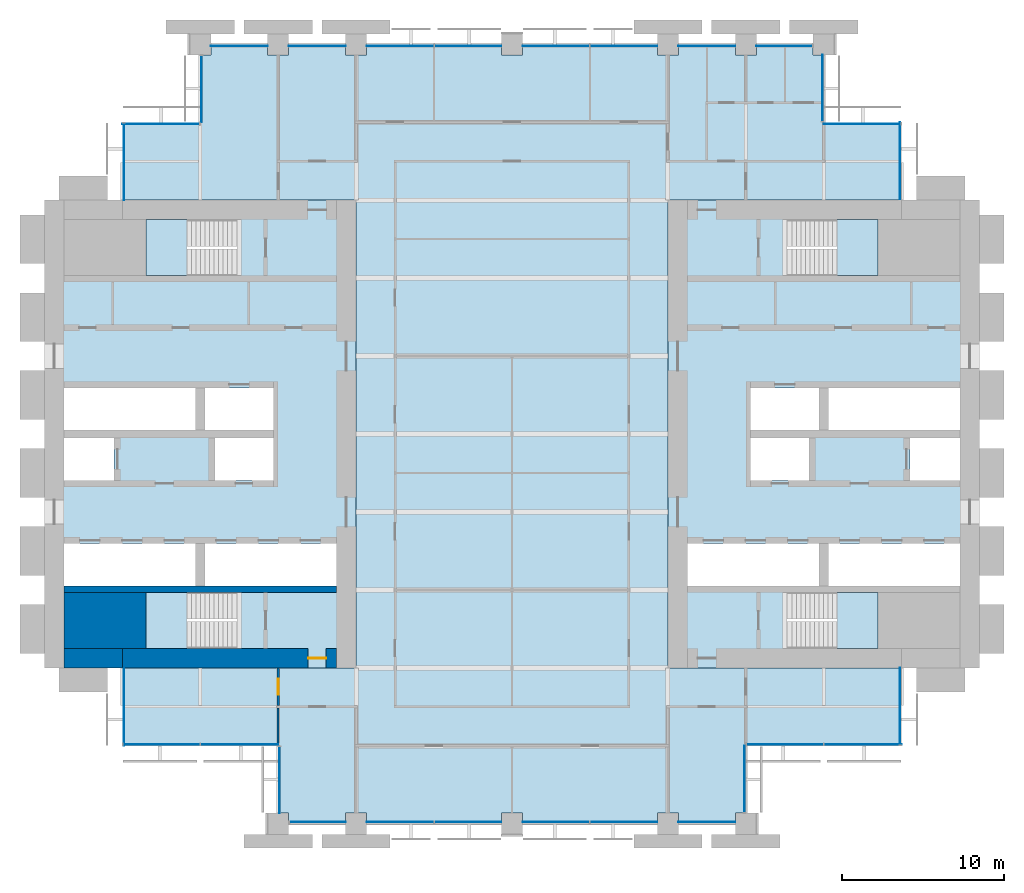
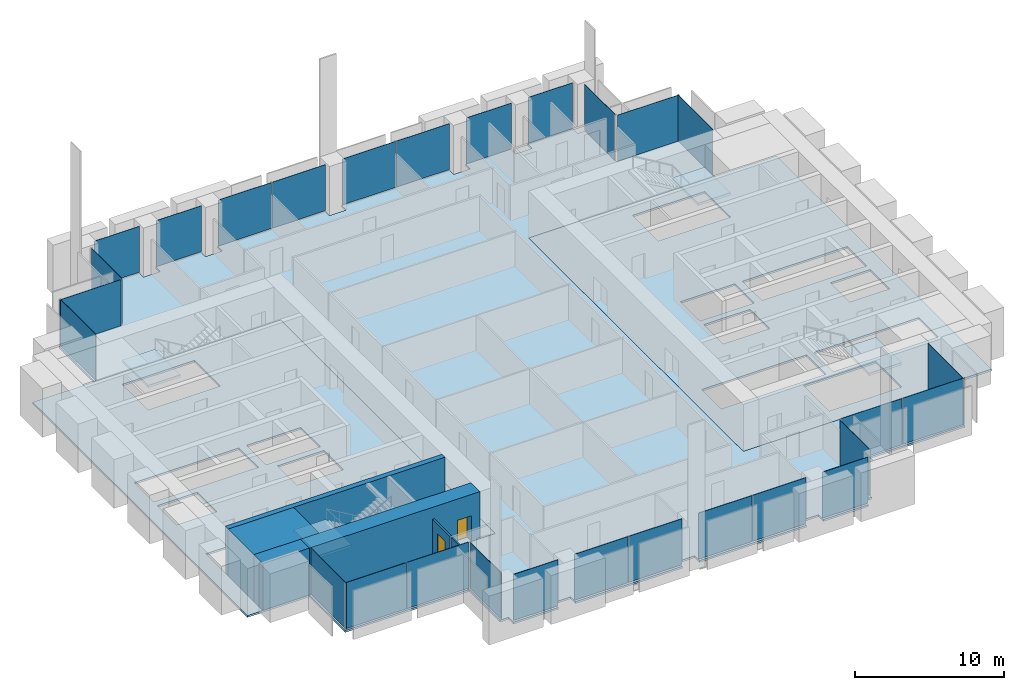
# One storey, part 8 of 14: 28 plates, 7 slabs, 6 walls, 2 doors, 2 openings, 18 elements without a shape of their own.
"""IFC4 building model written with IfcOpenShell, lengths in metres."""

from ifc_helpers import new_model, si_unit, direction, frame, frame_2d, origin, origin_2d, place, context, subcontext, project, spatial, polyline, rectangle, outline, extrude, material, layer, layer_set, type_object, element, fill, aggregate, save


model = new_model("IFC4")

# Units and contexts
model_context = context("Model", 3, precision=1e-05, world=origin(), true_north=direction((0.0, 1.0)))
body_context = subcontext(model_context, "Body", "Model", "MODEL_VIEW")
ifc_project = project(units=[si_unit("LENGTHUNIT", "METRE"), si_unit("AREAUNIT", "SQUARE_METRE"), si_unit("VOLUMEUNIT", "CUBIC_METRE"), si_unit("PLANEANGLEUNIT", "RADIAN"), si_unit("MASSUNIT", "GRAM", prefix="KILO")], contexts=[model_context])

# Site, building, storey
site_placement = place(None, origin())
site = spatial("IfcSite", under=ifc_project, at=site_placement, CompositionType="ELEMENT")
building_placement = place(site_placement, origin())
building = spatial("IfcBuilding", under=site, at=building_placement, Name="Baori Bourse Tower", CompositionType="ELEMENT")
storey_placement = place(building_placement, frame((0.0, 0.0, 75.0)))
storey = spatial("IfcBuildingStorey", under=building, at=storey_placement, Name="L16", CompositionType="ELEMENT", Elevation=75.0)

# Curtain wall, plates
ifc_material_1 = material(Name="Pale anodised aluminium", Category="aluminium")
curtain_wall_type_1 = type_object("IfcCurtainWallType", Name="CW1 Curtain wall", PredefinedType="NOTDEFINED", material=ifc_material_1)
curtain_wall_1_placement = place(storey_placement, origin())
curtain_wall_1 = element("IfcCurtainWall", 1, at=curtain_wall_1_placement, inside=storey, type_object=curtain_wall_type_1, Name="Curtain wall CW1 L16 4", PredefinedType="NOTDEFINED")
ifc_material_2 = material(Name="Clear glass", Category="glass")
ifc_layer_1 = layer(ifc_material_2, 0.033935546875)
ifc_layer_set_1 = layer_set([ifc_layer_1], Name="CW1 Curtain wall panel")
plate_type_1 = type_object("IfcPlateType", Name="CW1 Curtain wall panel", PredefinedType="CURTAIN_PANEL", material=ifc_layer_set_1)
plate_1_placement = place(storey_placement, frame((45.570068359375, 47.89990234375, 0.080078125), z_axis=(0.0, 0.0, 1.0), x_axis=(-1.0, 0.0, 0.0)))
plate_1 = element("IfcPlate", 2, at=plate_1_placement, type_object=plate_type_1, Name="Curtain wall CW1 panel", PredefinedType="CURTAIN_PANEL", context=body_context, shape_type="SweptSolid", body=[
    extrude(rectangle(XDim=3.43994140625, YDim=0.033935546875, at=origin_2d()), origin(), (0.0, 0.0, 1.0), 3.760009765625),
])
plate_2_placement = place(storey_placement, frame((40.800048828125, 47.89990234375, 0.080078125), z_axis=(0.0, 0.0, 1.0), x_axis=(-1.0, 0.0, 0.0)))
plate_2 = element("IfcPlate", 3, at=plate_2_placement, type_object=plate_type_1, Name="Curtain wall CW1 panel", PredefinedType="CURTAIN_PANEL", context=body_context, shape_type="SweptSolid", body=[
    extrude(rectangle(XDim=3.5, YDim=0.033935546875, at=origin_2d()), origin(), (0.0, 0.0, 1.0), 3.760009765625),
])
plate_3_placement = place(storey_placement, frame((35.68994140625, 47.89990234375, 0.080078125), z_axis=(0.0, 0.0, 1.0), x_axis=(-1.0, 0.0, 0.0)))
plate_3 = element("IfcPlate", 4, at=plate_3_placement, type_object=plate_type_1, Name="Curtain wall CW1 panel", PredefinedType="CURTAIN_PANEL", context=body_context, shape_type="SweptSolid", body=[
    extrude(rectangle(XDim=4.1201171875, YDim=0.033935546875, at=origin_2d()), origin(), (0.0, 0.0, 1.0), 3.760009765625),
])
plate_4_placement = place(storey_placement, frame((31.510009765625, 47.89990234375, 0.080078125), z_axis=(0.0, 0.0, 1.0), x_axis=(-1.0, 0.0, 0.0)))
plate_4 = element("IfcPlate", 5, at=plate_4_placement, type_object=plate_type_1, Name="Curtain wall CW1 panel", PredefinedType="CURTAIN_PANEL", context=body_context, shape_type="SweptSolid", body=[
    extrude(rectangle(XDim=4.1201171875, YDim=0.033935546875, at=origin_2d()), origin(), (0.0, 0.0, 1.0), 3.760009765625),
])
plate_5_placement = place(storey_placement, frame((26.090087890625, 47.89990234375, 0.080078125), z_axis=(0.0, 0.0, 1.0), x_axis=(-1.0, 0.0, 0.0)))
plate_5 = element("IfcPlate", 6, at=plate_5_placement, type_object=plate_type_1, Name="Curtain wall CW1 panel", PredefinedType="CURTAIN_PANEL", context=body_context, shape_type="SweptSolid", body=[
    extrude(rectangle(XDim=4.1201171875, YDim=0.033935546875, at=origin_2d()), origin(), (0.0, 0.0, 1.0), 3.760009765625),
])
plate_6_placement = place(storey_placement, frame((21.909912109375, 47.89990234375, 0.080078125), z_axis=(0.0, 0.0, 1.0), x_axis=(-1.0, 0.0, 0.0)))
plate_6 = element("IfcPlate", 7, at=plate_6_placement, type_object=plate_type_1, Name="Curtain wall CW1 panel", PredefinedType="CURTAIN_PANEL", context=body_context, shape_type="SweptSolid", body=[
    extrude(rectangle(XDim=4.1201171875, YDim=0.033935546875, at=origin_2d()), origin(), (0.0, 0.0, 1.0), 3.760009765625),
])
plate_7_placement = place(storey_placement, frame((16.800048828125, 47.89990234375, 0.080078125), z_axis=(0.0, 0.0, 1.0), x_axis=(-1.0, 0.0, 0.0)))
plate_7 = element("IfcPlate", 8, at=plate_7_placement, type_object=plate_type_1, Name="Curtain wall CW1 panel", PredefinedType="CURTAIN_PANEL", context=body_context, shape_type="SweptSolid", body=[
    extrude(rectangle(XDim=3.5, YDim=0.033935546875, at=origin_2d()), origin(), (0.0, 0.0, 1.0), 3.760009765625),
])
plate_8_placement = place(storey_placement, frame((12.0, 47.89990234375, 0.080078125), z_axis=(0.0, 0.0, 1.0), x_axis=(-1.0, 0.0, 0.0)))
plate_8 = element("IfcPlate", 9, at=plate_8_placement, type_object=plate_type_1, Name="Curtain wall CW1 panel", PredefinedType="CURTAIN_PANEL", context=body_context, shape_type="SweptSolid", body=[
    extrude(rectangle(XDim=3.5, YDim=0.033935546875, at=origin_2d()), origin(), (0.0, 0.0, 1.0), 3.760009765625),
])
aggregate(curtain_wall_1, [plate_1, plate_2, plate_3, plate_4, plate_5, plate_6, plate_7, plate_8])

curtain_wall_2_placement = place(storey_placement, origin())
curtain_wall_2 = element("IfcCurtainWall", 10, at=curtain_wall_2_placement, inside=storey, type_object=curtain_wall_type_1, Name="Curtain wall CW1 L16 11", PredefinedType="NOTDEFINED")
plate_9_placement = place(storey_placement, frame((16.830078125, 0.10009765625, 0.080078125), z_axis=(0.0, 0.0, 1.0), x_axis=(1.0, 0.0, 0.0)))
plate_9 = element("IfcPlate", 11, at=plate_9_placement, type_object=plate_type_1, Name="Curtain wall CW1 panel", PredefinedType="CURTAIN_PANEL", context=body_context, shape_type="SweptSolid", body=[
    extrude(rectangle(XDim=3.43994140625, YDim=0.033935546875, at=origin_2d()), origin(), (0.0, 0.0, 1.0), 3.760009765625),
])
plate_10_placement = place(storey_placement, frame((21.909912109375, 0.10009765625, 0.080078125), z_axis=(0.0, 0.0, 1.0), x_axis=(1.0, 0.0, 0.0)))
plate_10 = element("IfcPlate", 12, at=plate_10_placement, type_object=plate_type_1, Name="Curtain wall CW1 panel", PredefinedType="CURTAIN_PANEL", context=body_context, shape_type="SweptSolid", body=[
    extrude(rectangle(XDim=4.1201171875, YDim=0.033935546875, at=origin_2d()), origin(), (0.0, 0.0, 1.0), 3.760009765625),
])
plate_11_placement = place(storey_placement, frame((26.090087890625, 0.10009765625, 0.080078125), z_axis=(0.0, 0.0, 1.0), x_axis=(1.0, 0.0, 0.0)))
plate_11 = element("IfcPlate", 13, at=plate_11_placement, type_object=plate_type_1, Name="Curtain wall CW1 panel", PredefinedType="CURTAIN_PANEL", context=body_context, shape_type="SweptSolid", body=[
    extrude(rectangle(XDim=4.1201171875, YDim=0.033935546875, at=origin_2d()), origin(), (0.0, 0.0, 1.0), 3.760009765625),
])
plate_12_placement = place(storey_placement, frame((31.510009765625, 0.10009765625, 0.080078125), z_axis=(0.0, 0.0, 1.0), x_axis=(1.0, 0.0, 0.0)))
plate_12 = element("IfcPlate", 14, at=plate_12_placement, type_object=plate_type_1, Name="Curtain wall CW1 panel", PredefinedType="CURTAIN_PANEL", context=body_context, shape_type="SweptSolid", body=[
    extrude(rectangle(XDim=4.1201171875, YDim=0.033935546875, at=origin_2d()), origin(), (0.0, 0.0, 1.0), 3.760009765625),
])
plate_13_placement = place(storey_placement, frame((35.68994140625, 0.10009765625, 0.080078125), z_axis=(0.0, 0.0, 1.0), x_axis=(1.0, 0.0, 0.0)))
plate_13 = element("IfcPlate", 15, at=plate_13_placement, type_object=plate_type_1, Name="Curtain wall CW1 panel", PredefinedType="CURTAIN_PANEL", context=body_context, shape_type="SweptSolid", body=[
    extrude(rectangle(XDim=4.1201171875, YDim=0.033935546875, at=origin_2d()), origin(), (0.0, 0.0, 1.0), 3.760009765625),
])
plate_14_placement = place(storey_placement, frame((40.800048828125, 0.10009765625, 0.080078125), z_axis=(0.0, 0.0, 1.0), x_axis=(1.0, 0.0, 0.0)))
plate_14 = element("IfcPlate", 16, at=plate_14_placement, type_object=plate_type_1, Name="Curtain wall CW1 panel", PredefinedType="CURTAIN_PANEL", context=body_context, shape_type="SweptSolid", body=[
    extrude(rectangle(XDim=3.5, YDim=0.033935546875, at=origin_2d()), origin(), (0.0, 0.0, 1.0), 3.760009765625),
])
aggregate(curtain_wall_2, [plate_9, plate_10, plate_11, plate_12, plate_13, plate_14])

# Curtain wall, plate
ifc_material_3 = material(Name="Pale anodised aluminium", Category="aluminium")
curtain_wall_type_2 = type_object("IfcCurtainWallType", Name="CW2 Curtain wall", PredefinedType="NOTDEFINED", material=ifc_material_3)
curtain_wall_3_placement = place(storey_placement, origin())
curtain_wall_3 = element("IfcCurtainWall", 17, at=curtain_wall_3_placement, inside=storey, type_object=curtain_wall_type_2, Name="Curtain wall CW2 L16 1", PredefinedType="NOTDEFINED")
ifc_material_4 = material(Name="Clear glass", Category="glass")
ifc_layer_2 = layer(ifc_material_4, 0.030029296875)
ifc_layer_set_2 = layer_set([ifc_layer_2], Name="CW2 Curtain wall panel")
plate_type_2 = type_object("IfcPlateType", Name="CW2 Curtain wall panel", PredefinedType="CURTAIN_PANEL", material=ifc_layer_set_2)
plate_15_placement = place(storey_placement, frame((52.7099609375, 40.827392578125, 0.070068359375), z_axis=(0.0, 0.0, 1.0), x_axis=(0.0, 1.0, 0.0)))
plate_15 = element("IfcPlate", 18, at=plate_15_placement, type_object=plate_type_2, Name="Curtain wall CW2 panel", PredefinedType="CURTAIN_PANEL", context=body_context, shape_type="SweptSolid", body=[
    extrude(rectangle(XDim=4.7451171875, YDim=0.030029296875, at=origin_2d()), origin(), (0.0, 0.0, 1.0), 3.77001953125),
])
aggregate(curtain_wall_3, [plate_15])

curtain_wall_4_placement = place(storey_placement, origin())
curtain_wall_4 = element("IfcCurtainWall", 19, at=curtain_wall_4_placement, inside=storey, type_object=curtain_wall_type_2, Name="Curtain wall CW2 L16 2", PredefinedType="NOTDEFINED")
plate_16_placement = place(storey_placement, frame((50.37255859375, 43.110107421875, 0.070068359375), z_axis=(0.0, 0.0, 1.0), x_axis=(-1.0, 0.0, 0.0)))
plate_16 = element("IfcPlate", 20, at=plate_16_placement, type_object=plate_type_2, Name="Curtain wall CW2 panel", PredefinedType="CURTAIN_PANEL", context=body_context, shape_type="SweptSolid", body=[
    extrude(rectangle(XDim=4.7451171875, YDim=0.030029296875, at=origin_2d()), origin(), (0.0, 0.0, 1.0), 3.77001953125),
])
aggregate(curtain_wall_4, [plate_16])

curtain_wall_5_placement = place(storey_placement, origin())
curtain_wall_5 = element("IfcCurtainWall", 21, at=curtain_wall_5_placement, inside=storey, type_object=curtain_wall_type_2, Name="Curtain wall CW2 L16 3", PredefinedType="NOTDEFINED")
plate_17_placement = place(storey_placement, frame((47.909912109375, 45.302490234375, 0.070068359375), z_axis=(0.0, 0.0, 1.0), x_axis=(0.0, 1.0, 0.0)))
plate_17 = element("IfcPlate", 22, at=plate_17_placement, type_object=plate_type_2, Name="Curtain wall CW2 panel", PredefinedType="CURTAIN_PANEL", context=body_context, shape_type="SweptSolid", body=[
    extrude(rectangle(XDim=4.094970703125, YDim=0.030029296875, at=origin_2d()), origin(), (0.0, 0.0, 1.0), 3.77001953125),
])
aggregate(curtain_wall_5, [plate_17])

curtain_wall_6_placement = place(storey_placement, origin())
curtain_wall_6 = element("IfcCurtainWall", 23, at=curtain_wall_6_placement, inside=storey, type_object=curtain_wall_type_2, Name="Curtain wall CW2 L16 5", PredefinedType="NOTDEFINED")
plate_18_placement = place(storey_placement, frame((9.68994140625, 45.24755859375, 0.070068359375), z_axis=(0.0, 0.0, 1.0), x_axis=(0.0, -1.0, 0.0)))
plate_18 = element("IfcPlate", 24, at=plate_18_placement, type_object=plate_type_2, Name="Curtain wall CW2 panel", PredefinedType="CURTAIN_PANEL", context=body_context, shape_type="SweptSolid", body=[
    extrude(rectangle(XDim=4.094970703125, YDim=0.030029296875, at=origin_2d()), origin(), (0.0, 0.0, 1.0), 3.77001953125),
])
aggregate(curtain_wall_6, [plate_18])

curtain_wall_7_placement = place(storey_placement, origin())
curtain_wall_7 = element("IfcCurtainWall", 25, at=curtain_wall_7_placement, inside=storey, type_object=curtain_wall_type_2, Name="Curtain wall CW2 L16 6", PredefinedType="NOTDEFINED")
plate_19_placement = place(storey_placement, frame((7.172607421875, 43.110107421875, 0.070068359375), z_axis=(0.0, 0.0, 1.0), x_axis=(-1.0, 0.0, 0.0)))
plate_19 = element("IfcPlate", 26, at=plate_19_placement, type_object=plate_type_2, Name="Curtain wall CW2 panel", PredefinedType="CURTAIN_PANEL", context=body_context, shape_type="SweptSolid", body=[
    extrude(rectangle(XDim=4.7451171875, YDim=0.030029296875, at=origin_2d()), origin(), (0.0, 0.0, 1.0), 3.77001953125),
])
aggregate(curtain_wall_7, [plate_19])

curtain_wall_8_placement = place(storey_placement, origin())
curtain_wall_8 = element("IfcCurtainWall", 27, at=curtain_wall_8_placement, inside=storey, type_object=curtain_wall_type_2, Name="Curtain wall CW2 L16 7", PredefinedType="NOTDEFINED")
plate_20_placement = place(storey_placement, frame((4.889892578125, 40.7724609375, 0.070068359375), z_axis=(0.0, 0.0, 1.0), x_axis=(0.0, -1.0, 0.0)))
plate_20 = element("IfcPlate", 28, at=plate_20_placement, type_object=plate_type_2, Name="Curtain wall CW2 panel", PredefinedType="CURTAIN_PANEL", context=body_context, shape_type="SweptSolid", body=[
    extrude(rectangle(XDim=4.7451171875, YDim=0.030029296875, at=origin_2d()), origin(), (0.0, 0.0, 1.0), 3.77001953125),
])
aggregate(curtain_wall_8, [plate_20])

curtain_wall_9_placement = place(storey_placement, origin())
curtain_wall_9 = element("IfcCurtainWall", 29, at=curtain_wall_9_placement, inside=storey, type_object=curtain_wall_type_2, Name="Curtain wall CW2 L16 8", PredefinedType="NOTDEFINED")
plate_21_placement = place(storey_placement, frame((4.889892578125, 7.172607421875, 0.070068359375), z_axis=(0.0, 0.0, 1.0), x_axis=(0.0, -1.0, 0.0)))
plate_21 = element("IfcPlate", 30, at=plate_21_placement, type_object=plate_type_2, Name="Curtain wall CW2 panel", PredefinedType="CURTAIN_PANEL", context=body_context, shape_type="SweptSolid", body=[
    extrude(rectangle(XDim=4.7451171875, YDim=0.030029296875, at=origin_2d()), origin(), (0.0, 0.0, 1.0), 3.77001953125),
])
aggregate(curtain_wall_9, [plate_21])

# Curtain wall, plates
curtain_wall_10_placement = place(storey_placement, origin())
curtain_wall_10 = element("IfcCurtainWall", 31, at=curtain_wall_10_placement, inside=storey, type_object=curtain_wall_type_2, Name="Curtain wall CW2 L16 9", PredefinedType="NOTDEFINED")
plate_22_placement = place(storey_placement, frame((7.2138671875, 4.889892578125, 0.070068359375), z_axis=(0.0, 0.0, 1.0), x_axis=(1.0, 0.0, 0.0)))
plate_22 = element("IfcPlate", 32, at=plate_22_placement, type_object=plate_type_2, Name="Curtain wall CW2 panel", PredefinedType="CURTAIN_PANEL", context=body_context, shape_type="SweptSolid", body=[
    extrude(rectangle(XDim=4.717529296875, YDim=0.030029296875, at=origin_2d()), origin(), (0.0, 0.0, 1.0), 3.77001953125),
])
plate_23_placement = place(storey_placement, frame((12.013671875, 4.889892578125, 0.070068359375), z_axis=(0.0, 0.0, 1.0), x_axis=(1.0, 0.0, 0.0)))
plate_23 = element("IfcPlate", 33, at=plate_23_placement, type_object=plate_type_2, Name="Curtain wall CW2 panel", PredefinedType="CURTAIN_PANEL", context=body_context, shape_type="SweptSolid", body=[
    extrude(rectangle(XDim=4.7724609375, YDim=0.030029296875, at=origin_2d()), origin(), (0.0, 0.0, 1.0), 3.77001953125),
])
aggregate(curtain_wall_10, [plate_22, plate_23])

# Curtain wall, plate
curtain_wall_11_placement = place(storey_placement, origin())
curtain_wall_11 = element("IfcCurtainWall", 34, at=curtain_wall_11_placement, inside=storey, type_object=curtain_wall_type_2, Name="Curtain wall CW2 L16 10", PredefinedType="NOTDEFINED")
plate_24_placement = place(storey_placement, frame((14.489990234375, 2.697509765625, 0.070068359375), z_axis=(0.0, 0.0, 1.0), x_axis=(0.0, -1.0, 0.0)))
plate_24 = element("IfcPlate", 35, at=plate_24_placement, type_object=plate_type_2, Name="Curtain wall CW2 panel", PredefinedType="CURTAIN_PANEL", context=body_context, shape_type="SweptSolid", body=[
    extrude(rectangle(XDim=4.094970703125, YDim=0.030029296875, at=origin_2d()), origin(), (0.0, 0.0, 1.0), 3.77001953125),
])
aggregate(curtain_wall_11, [plate_24])

curtain_wall_12_placement = place(storey_placement, origin())
curtain_wall_12 = element("IfcCurtainWall", 36, at=curtain_wall_12_placement, inside=storey, type_object=curtain_wall_type_2, Name="Curtain wall CW2 L16 12", PredefinedType="NOTDEFINED")
plate_25_placement = place(storey_placement, frame((43.110107421875, 2.75244140625, 0.070068359375), z_axis=(0.0, 0.0, 1.0), x_axis=(0.0, 1.0, 0.0)))
plate_25 = element("IfcPlate", 37, at=plate_25_placement, type_object=plate_type_2, Name="Curtain wall CW2 panel", PredefinedType="CURTAIN_PANEL", context=body_context, shape_type="SweptSolid", body=[
    extrude(rectangle(XDim=4.094970703125, YDim=0.030029296875, at=origin_2d()), origin(), (0.0, 0.0, 1.0), 3.77001953125),
])
aggregate(curtain_wall_12, [plate_25])

# Curtain wall, plates
curtain_wall_13_placement = place(storey_placement, origin())
curtain_wall_13 = element("IfcCurtainWall", 38, at=curtain_wall_13_placement, inside=storey, type_object=curtain_wall_type_2, Name="Curtain wall CW2 L16 13", PredefinedType="NOTDEFINED")
plate_26_placement = place(storey_placement, frame((45.61376953125, 4.889892578125, 0.070068359375), z_axis=(0.0, 0.0, 1.0), x_axis=(1.0, 0.0, 0.0)))
plate_26 = element("IfcPlate", 39, at=plate_26_placement, type_object=plate_type_2, Name="Curtain wall CW2 panel", PredefinedType="CURTAIN_PANEL", context=body_context, shape_type="SweptSolid", body=[
    extrude(rectangle(XDim=4.717529296875, YDim=0.030029296875, at=origin_2d()), origin(), (0.0, 0.0, 1.0), 3.77001953125),
])
plate_27_placement = place(storey_placement, frame((50.413818359375, 4.889892578125, 0.070068359375), z_axis=(0.0, 0.0, 1.0), x_axis=(1.0, 0.0, 0.0)))
plate_27 = element("IfcPlate", 40, at=plate_27_placement, type_object=plate_type_2, Name="Curtain wall CW2 panel", PredefinedType="CURTAIN_PANEL", context=body_context, shape_type="SweptSolid", body=[
    extrude(rectangle(XDim=4.7724609375, YDim=0.030029296875, at=origin_2d()), origin(), (0.0, 0.0, 1.0), 3.77001953125),
])
aggregate(curtain_wall_13, [plate_26, plate_27])

# Curtain wall, plate
curtain_wall_14_placement = place(storey_placement, origin())
curtain_wall_14 = element("IfcCurtainWall", 41, at=curtain_wall_14_placement, inside=storey, type_object=curtain_wall_type_2, Name="Curtain wall CW2 L16 14", PredefinedType="NOTDEFINED")
plate_28_placement = place(storey_placement, frame((52.7099609375, 7.2275390625, 0.070068359375), z_axis=(0.0, 0.0, 1.0), x_axis=(0.0, 1.0, 0.0)))
plate_28 = element("IfcPlate", 42, at=plate_28_placement, type_object=plate_type_2, Name="Curtain wall CW2 panel", PredefinedType="CURTAIN_PANEL", context=body_context, shape_type="SweptSolid", body=[
    extrude(rectangle(XDim=4.7451171875, YDim=0.030029296875, at=origin_2d()), origin(), (0.0, 0.0, 1.0), 3.77001953125),
])
aggregate(curtain_wall_14, [plate_28])

# Slabs
ifc_material_5 = material(Name="Concrete f'c 50 MPa", Category="concrete")
ifc_layer_3 = layer(ifc_material_5, 0.159912109375)
ifc_layer_set_3 = layer_set([ifc_layer_3], Name="Core slab 160")
slab_type_1 = type_object("IfcSlabType", Name="Core slab 160", PredefinedType="FLOOR", material=ifc_layer_set_3)
slab_1_placement = place(storey_placement, frame((0.0, 0.0, -0.159912109375)))
element("IfcSlab", 43, at=slab_1_placement, inside=storey, type_object=slab_type_1, Name="Core floor slab W01", PredefinedType="FLOOR", context=body_context, shape_type="SweptSolid", body=[
    extrude(outline(polyline([(19.199951171875, 9.60009765625), (19.199951171875, 38.39990234375), (0.0, 38.39990234375), (0.0, 9.60009765625), (19.199951171875, 9.60009765625)]), holes=[polyline([(9.89990234375, 14.64990234375), (9.89990234375, 17.25), (18.0, 17.25), (18.0, 14.64990234375), (9.89990234375, 14.64990234375)]), polyline([(10.5, 21.14990234375), (10.5, 23.75), (14.10009765625, 23.75), (14.10009765625, 21.14990234375), (10.5, 21.14990234375)]), polyline([(14.10009765625, 24.25), (9.89990234375, 24.25), (9.89990234375, 26.85009765625), (14.10009765625, 26.85009765625), (14.10009765625, 24.25)]), polyline([(6.25, 14.25), (11.84912109375, 14.25), (11.84912109375, 10.800048828125), (6.25, 10.800048828125), (6.25, 14.25)]), polyline([(11.84912109375, 37.199951171875), (11.84912109375, 33.75), (6.25, 33.75), (6.25, 37.199951171875), (11.84912109375, 37.199951171875)]), polyline([(1.199951171875, 26.85009765625), (9.300048828125, 26.85009765625), (9.300048828125, 24.25), (1.199951171875, 24.25), (1.199951171875, 26.85009765625)]), polyline([(9.300048828125, 14.64990234375), (1.199951171875, 14.64990234375), (1.199951171875, 17.25), (9.300048828125, 17.25), (9.300048828125, 14.64990234375)]), polyline([(4.300048828125, 23.75), (4.300048828125, 21.14990234375), (1.199951171875, 21.14990234375), (1.199951171875, 23.75), (4.300048828125, 23.75)])]), origin(), (0.0, 0.0, 1.0), 0.159912109375),
])
slab_2_placement = place(storey_placement, frame((0.0, 0.0, -0.159912109375)))
element("IfcSlab", 44, at=slab_2_placement, inside=storey, type_object=slab_type_1, Name="Core floor slab E01", PredefinedType="FLOOR", context=body_context, shape_type="SweptSolid", body=[
    extrude(outline(polyline([(38.39990234375, 9.60009765625), (57.60009765625, 9.60009765625), (57.60009765625, 38.39990234375), (38.39990234375, 38.39990234375), (38.39990234375, 9.60009765625)]), holes=[polyline([(48.300048828125, 14.64990234375), (48.300048828125, 17.25), (56.39990234375, 17.25), (56.39990234375, 14.64990234375), (48.300048828125, 14.64990234375)]), polyline([(56.39990234375, 21.14990234375), (53.300048828125, 21.14990234375), (53.300048828125, 23.75), (56.39990234375, 23.75), (56.39990234375, 21.14990234375)]), polyline([(56.39990234375, 26.85009765625), (56.39990234375, 24.25), (48.300048828125, 24.25), (48.300048828125, 26.85009765625), (56.39990234375, 26.85009765625)]), polyline([(45.750732421875, 14.25), (51.35009765625, 14.25), (51.35009765625, 10.800048828125), (45.750732421875, 10.800048828125), (45.750732421875, 14.25)]), polyline([(51.35009765625, 37.199951171875), (51.35009765625, 33.75), (45.750732421875, 33.75), (45.750732421875, 37.199951171875), (51.35009765625, 37.199951171875)]), polyline([(39.60009765625, 17.25), (47.699951171875, 17.25), (47.699951171875, 14.64990234375), (39.60009765625, 14.64990234375), (39.60009765625, 17.25)]), polyline([(43.5, 24.25), (43.5, 26.85009765625), (47.699951171875, 26.85009765625), (47.699951171875, 24.25), (43.5, 24.25)]), polyline([(43.5, 23.75), (47.10009765625, 23.75), (47.10009765625, 21.14990234375), (43.5, 21.14990234375), (43.5, 23.75)])]), origin(), (0.0, 0.0, 1.0), 0.159912109375),
])

# Stair, slab
ifc_material_6 = material(Name="Concrete f'c 50 MPa", Category="concrete")
stair_type = type_object("IfcStairType", Name="Core stair", PredefinedType="HALF_TURN_STAIR", material=ifc_material_6)
stair_1_placement = place(storey_placement, origin())
stair_1 = element("IfcStair", 45, at=stair_1_placement, inside=storey, type_object=stair_type, Name="L16 Stair WA", PredefinedType="HALF_TURN_STAIR")
ifc_material_7 = material(Name="Concrete f'c 50 MPa", Category="concrete")
slab_type_2 = type_object("IfcSlabType", Name="Core stair landing", PredefinedType="LANDING", material=ifc_material_7)
slab_3_placement = place(storey_placement, frame((0.0, 0.0, 1.800048828125)))
slab_3 = element("IfcSlab", 46, at=slab_3_placement, type_object=slab_type_2, Name="ST1 landing 1", PredefinedType="LANDING", context=body_context, shape_type="SweptSolid", body=[
    extrude(outline(polyline([(8.77001953125, 14.25), (6.25, 14.25), (6.25, 10.800048828125), (8.77001953125, 10.800048828125), (8.77001953125, 14.25)])), origin(), (0.0, 0.0, 1.0), 0.199951171875),
])
aggregate(stair_1, [slab_3])

stair_2_placement = place(storey_placement, origin())
stair_2 = element("IfcStair", 47, at=stair_2_placement, inside=storey, type_object=stair_type, Name="L16 Stair WB", PredefinedType="HALF_TURN_STAIR")
slab_4_placement = place(storey_placement, frame((0.0, 0.0, 1.800048828125)))
slab_4 = element("IfcSlab", 48, at=slab_4_placement, type_object=slab_type_2, Name="ST2 landing 1", PredefinedType="LANDING", context=body_context, shape_type="SweptSolid", body=[
    extrude(outline(polyline([(8.77001953125, 37.199951171875), (6.25, 37.199951171875), (6.25, 33.75), (8.77001953125, 33.75), (8.77001953125, 37.199951171875)])), origin(), (0.0, 0.0, 1.0), 0.199951171875),
])
aggregate(stair_2, [slab_4])

stair_3_placement = place(storey_placement, origin())
stair_3 = element("IfcStair", 49, at=stair_3_placement, inside=storey, type_object=stair_type, Name="L16 Stair EA", PredefinedType="HALF_TURN_STAIR")
slab_5_placement = place(storey_placement, frame((0.0, 0.0, 1.800048828125)))
slab_5 = element("IfcSlab", 50, at=slab_5_placement, type_object=slab_type_2, Name="ST3 landing 1", PredefinedType="LANDING", context=body_context, shape_type="SweptSolid", body=[
    extrude(outline(polyline([(48.830078125, 10.800048828125), (51.35009765625, 10.800048828125), (51.35009765625, 14.25), (48.830078125, 14.25), (48.830078125, 10.800048828125)])), origin(), (0.0, 0.0, 1.0), 0.199951171875),
])
aggregate(stair_3, [slab_5])

stair_4_placement = place(storey_placement, origin())
stair_4 = element("IfcStair", 51, at=stair_4_placement, inside=storey, type_object=stair_type, Name="L16 Stair EB", PredefinedType="HALF_TURN_STAIR")
slab_6_placement = place(storey_placement, frame((0.0, 0.0, 1.800048828125)))
slab_6 = element("IfcSlab", 52, at=slab_6_placement, type_object=slab_type_2, Name="ST4 landing 1", PredefinedType="LANDING", context=body_context, shape_type="SweptSolid", body=[
    extrude(outline(polyline([(48.830078125, 33.75), (51.35009765625, 33.75), (51.35009765625, 37.199951171875), (48.830078125, 37.199951171875), (48.830078125, 33.75)])), origin(), (0.0, 0.0, 1.0), 0.199951171875),
])
aggregate(stair_4, [slab_6])

# Slab
ifc_material_8 = material(Name="Concrete f'c 40 MPa", Category="concrete")
ifc_layer_4 = layer(ifc_material_8, 0.159912109375)
ifc_layer_set_4 = layer_set([ifc_layer_4], Name="Floor slab 160")
slab_type_3 = type_object("IfcSlabType", Name="Floor slab 160", PredefinedType="FLOOR", material=ifc_layer_set_4)
slab_7_placement = place(storey_placement, frame((0.0, 0.0, -0.159912109375)))
element("IfcSlab", 53, at=slab_7_placement, inside=storey, type_object=slab_type_3, Name="Floor slab L16", PredefinedType="FLOOR", context=body_context, shape_type="SweptSolid", body=[
    extrude(outline(polyline([(14.39990234375, 4.800048828125), (4.800048828125, 4.800048828125), (4.800048828125, 9.60009765625), (19.199951171875, 9.60009765625), (19.199951171875, 38.39990234375), (4.800048828125, 38.39990234375), (4.800048828125, 43.199951171875), (9.60009765625, 43.199951171875), (9.60009765625, 47.35009765625), (10.25, 47.35009765625), (10.25, 48.0), (13.75, 48.0), (13.75, 47.35009765625), (15.050048828125, 47.35009765625), (15.050048828125, 48.0), (18.550048828125, 48.0), (18.550048828125, 47.35009765625), (19.85009765625, 47.35009765625), (19.85009765625, 48.0), (28.14990234375, 48.0), (28.14990234375, 47.35009765625), (29.449951171875, 47.35009765625), (29.449951171875, 48.0), (37.75, 48.0), (37.75, 47.35009765625), (39.050048828125, 47.35009765625), (39.050048828125, 48.0), (42.550048828125, 48.0), (42.550048828125, 47.35009765625), (43.85009765625, 47.35009765625), (43.85009765625, 48.0), (47.35009765625, 48.0), (47.35009765625, 47.35009765625), (48.0, 47.35009765625), (48.0, 43.199951171875), (52.800048828125, 43.199951171875), (52.800048828125, 38.39990234375), (38.39990234375, 38.39990234375), (38.39990234375, 9.60009765625), (52.800048828125, 9.60009765625), (52.800048828125, 4.800048828125), (43.199951171875, 4.800048828125), (43.199951171875, 0.64990234375), (42.550048828125, 0.64990234375), (42.550048828125, 0.0), (39.050048828125, 0.0), (39.050048828125, 0.64990234375), (37.75, 0.64990234375), (37.75, 0.0), (29.449951171875, 0.0), (29.449951171875, 0.64990234375), (28.14990234375, 0.64990234375), (28.14990234375, 0.0), (19.85009765625, 0.0), (19.85009765625, 0.64990234375), (18.550048828125, 0.64990234375), (18.550048828125, 0.0), (15.050048828125, 0.0), (15.050048828125, 0.64990234375), (14.39990234375, 0.64990234375), (14.39990234375, 4.800048828125)])), origin(), (0.0, 0.0, 1.0), 0.159912109375),
])

# Walls
ifc_material_9 = material(Name="Concrete f'c 70 MPa", Category="concrete")
wall_type_1 = type_object("IfcWallType", Name="Core corner block f'c 70", PredefinedType="SHEAR", material=ifc_material_9)
wall_1_placement = place(storey_placement, frame((1.199951171875, 12.52490234375, 0.0), z_axis=(0.0, 0.0, 1.0), x_axis=(1.0, 0.0, 0.0)))
element("IfcWall", 54, at=wall_1_placement, inside=storey, type_object=wall_type_1, Name="Core wall W05", PredefinedType="SHEAR", context=body_context, shape_type="SweptSolid", body=[
    extrude(rectangle(XDim=5.050048828125, YDim=3.449951171875, at=frame_2d((2.52490234375, 0.0))), origin(), (0.0, 0.0, 1.0), 3.840087890625),
])
ifc_material_10 = material(Name="Concrete f'c 70 MPa", Category="concrete")
ifc_layer_5 = layer(ifc_material_10, 1.199951171875)
ifc_layer_set_5 = layer_set([ifc_layer_5], Name="Core wall 1200 f'c 70")
wall_type_2 = type_object("IfcWallType", Name="Core wall 1200 f'c 70", PredefinedType="SHEAR", material=ifc_layer_set_5)
wall_2_placement = place(storey_placement, frame((4.800048828125, 10.199951171875, 0.0), z_axis=(0.0, 0.0, 1.0), x_axis=(-1.0, 0.0, 0.0)))
element("IfcWall", 55, at=wall_2_placement, inside=storey, type_object=wall_type_2, Name="Core wall W02", PredefinedType="SHEAR", context=body_context, shape_type="SweptSolid", body=[
    extrude(rectangle(XDim=3.60009765625, YDim=1.199951171875, at=frame_2d((1.800048828125, 0.0))), origin(), (0.0, 0.0, 1.0), 3.840087890625),
])

# Wall, opening, door
wall_3_placement = place(storey_placement, frame((18.0, 10.199951171875, 0.0), z_axis=(0.0, 0.0, 1.0), x_axis=(-1.0, 0.0, 0.0)))
wall_3 = element("IfcWall", 56, at=wall_3_placement, inside=storey, type_object=wall_type_2, Name="Core wall W03", PredefinedType="SHEAR", context=body_context, shape_type="SweptSolid", body=[
    extrude(rectangle(XDim=13.199951171875, YDim=1.199951171875, at=frame_2d((6.60009765625, 0.0))), origin(), (0.0, 0.0, 1.0), 3.840087890625),
])
opening_1_placement = place(wall_3_placement, frame((0.64990234375, 0.0, 0.0)))
opening_1 = element("IfcOpeningElement", 57, at=opening_1_placement, cuts=wall_3, Name="Opening L16-D102", PredefinedType="OPENING", context=body_context, shape_type="SweptSolid", body=[
    extrude(rectangle(XDim=1.10009765625, YDim=2.10009765625, at=frame_2d((0.550048828125, 1.050048828125))), frame((0.0, 0.60986328125, 0.0), z_axis=(0.0, -1.0, 0.0), x_axis=(1.0, 0.0, 0.0)), (0.0, 0.0, 1.0), 1.219970703125),
])
ifc_material_11 = material(Name="Painted steel door", Category="steel")
door_type_1 = type_object("IfcDoorType", Name="Stair door 1100", OperationType="SINGLE_SWING_LEFT", PredefinedType="DOOR", material=ifc_material_11)
door_1_placement = place(opening_1_placement, origin())
door_1 = element("IfcDoor", 58, at=door_1_placement, inside=storey, type_object=door_type_1, Name="Stair vestibule door A W L16", OperationType="SINGLE_SWING_LEFT", OverallHeight=2.10009765625, OverallWidth=1.10009765625, PredefinedType="DOOR", context=body_context, shape_type="SweptSolid", body=[
    extrude(rectangle(XDim=1.10009765625, YDim=2.10009765625, at=frame_2d((0.550048828125, 1.050048828125))), frame((0.0, 0.02490234375, 0.0), z_axis=(0.0, -1.0, 0.0), x_axis=(1.0, 0.0, 0.0)), (0.0, 0.0, 1.0), 0.050048828125),
])
fill(opening_1, door_1)

ifc_material_12 = material(Name="Gypsum board partition")
ifc_layer_6 = layer(ifc_material_12, 0.14990234375)
ifc_layer_set_6 = layer_set([ifc_layer_6], Name="Corridor partition 150")
wall_type_3 = type_object("IfcWallType", Name="Corridor partition 150", PredefinedType="PARTITIONING", material=ifc_layer_set_6)
wall_4_placement = place(storey_placement, frame((14.39990234375, 7.27490234375, 0.0), z_axis=(0.0, 0.0, 1.0), x_axis=(0.0, 1.0, 0.0)))
wall_4 = element("IfcWall", 59, at=wall_4_placement, inside=storey, type_object=wall_type_3, Name="Partition", PredefinedType="PARTITIONING", context=body_context, shape_type="SweptSolid", body=[
    extrude(rectangle(XDim=2.3251953125, YDim=0.14990234375, at=frame_2d((1.16259765625, 0.0))), origin(), (0.0, 0.0, 1.0), 2.86962890625),
])
opening_2_placement = place(wall_4_placement, frame((0.66259765625, 0.0, 0.0)))
opening_2 = element("IfcOpeningElement", 60, at=opening_2_placement, cuts=wall_4, Name="Opening L16-D14", PredefinedType="OPENING", context=body_context, shape_type="SweptSolid", body=[
    extrude(rectangle(XDim=1.0, YDim=2.10009765625, at=frame_2d((0.5, 1.050048828125))), frame((0.0, 0.0849609375, 0.0), z_axis=(0.0, -1.0, 0.0), x_axis=(1.0, 0.0, 0.0)), (0.0, 0.0, 1.0), 0.169921875),
])
ifc_material_13 = material(Name="Timber door leaf", Category="wood")
door_type_2 = type_object("IfcDoorType", Name="Door 1000 x 2100", OperationType="SINGLE_SWING_LEFT", PredefinedType="DOOR", material=ifc_material_13)
door_2_placement = place(opening_2_placement, origin())
door_2 = element("IfcDoor", 61, at=door_2_placement, inside=storey, type_object=door_type_2, Name="Door", OperationType="SINGLE_SWING_RIGHT", OverallHeight=2.10009765625, OverallWidth=1.0, PredefinedType="DOOR", context=body_context, shape_type="SweptSolid", body=[
    extrude(rectangle(XDim=1.0, YDim=2.10009765625, at=frame_2d((0.5, 1.050048828125))), frame((0.0, 0.02490234375, 0.0), z_axis=(0.0, -1.0, 0.0), x_axis=(1.0, 0.0, 0.0)), (0.0, 0.0, 1.0), 0.050048828125),
])
fill(opening_2, door_2)

# Walls
ifc_material_14 = material(Name="Gypsum board partition")
ifc_layer_7 = layer(ifc_material_14, 0.125)
ifc_layer_set_7 = layer_set([ifc_layer_7], Name="Partition 125")
wall_type_4 = type_object("IfcWallType", Name="Partition 125", PredefinedType="PARTITIONING", material=ifc_layer_set_7)
wall_5_placement = place(storey_placement, frame((14.39990234375, 4.89990234375, 0.0), z_axis=(0.0, 0.0, 1.0), x_axis=(0.0, 1.0, 0.0)))
element("IfcWall", 62, at=wall_5_placement, inside=storey, type_object=wall_type_4, Name="Partition", PredefinedType="PARTITIONING", context=body_context, shape_type="SweptSolid", body=[
    extrude(rectangle(XDim=2.22509765625, YDim=0.125, at=frame_2d((1.112548828125, 0.0))), origin(), (0.0, 0.0, 1.0), 2.86962890625),
])
ifc_material_15 = material(Name="Concrete f'c 70 MPa", Category="concrete")
ifc_layer_8 = layer(ifc_material_15, 0.39990234375)
ifc_layer_set_8 = layer_set([ifc_layer_8], Name="Shaft wall 400 f'c 70")
wall_type_5 = type_object("IfcWallType", Name="Shaft wall 400 f'c 70", PredefinedType="SHEAR", material=ifc_layer_set_8)
wall_6_placement = place(storey_placement, frame((1.199951171875, 14.449951171875, 0.0), z_axis=(0.0, 0.0, 1.0), x_axis=(1.0, 0.0, 0.0)))
element("IfcWall", 63, at=wall_6_placement, inside=storey, type_object=wall_type_5, Name="Core wall W07", PredefinedType="SHEAR", context=body_context, shape_type="SweptSolid", body=[
    extrude(rectangle(XDim=16.800048828125, YDim=0.39990234375, at=frame_2d((8.39990234375, 0.0))), origin(), (0.0, 0.0, 1.0), 3.840087890625),
])

save(model, "model.ifc")
